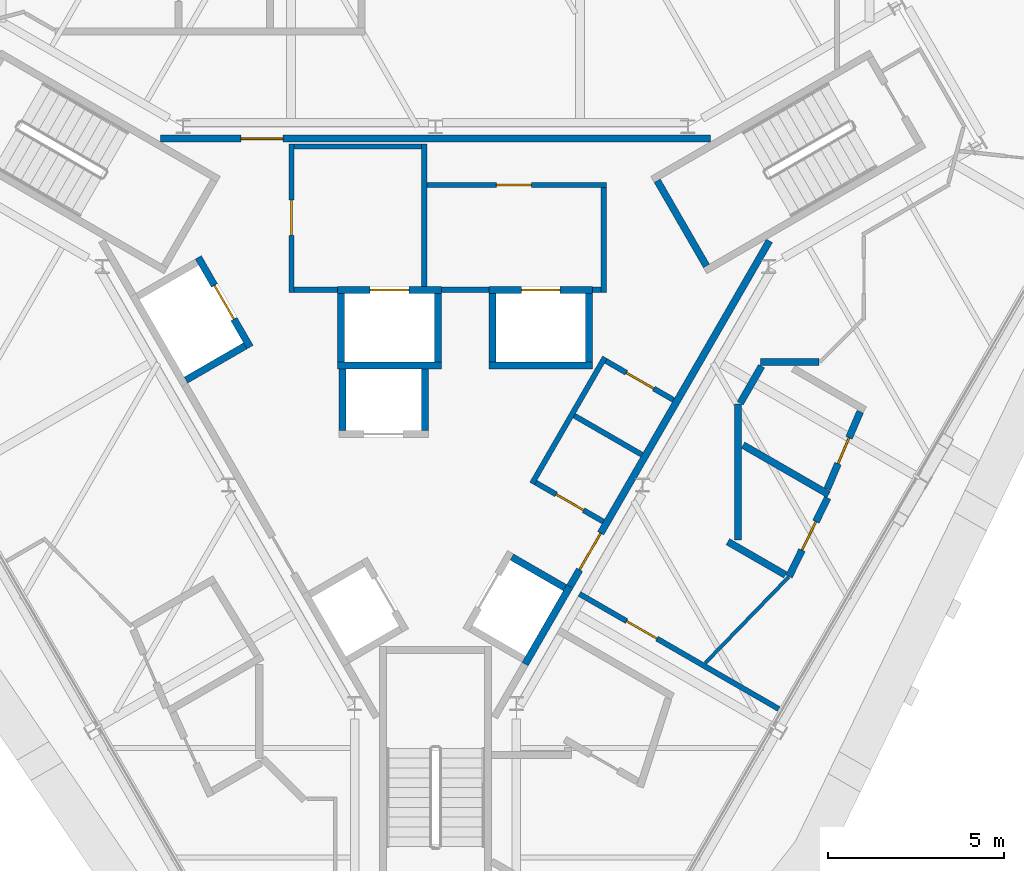
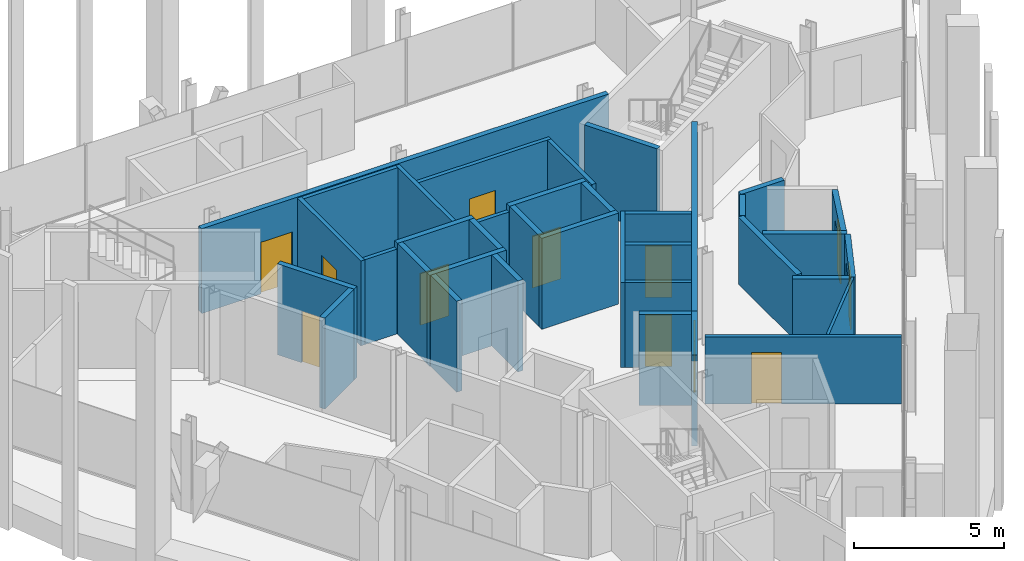
# One storey, part 9 of 12: 38 walls, 12 doors, 12 openings.
"""IFC4 building model written with IfcOpenShell, lengths in metres."""

import ifcopenshell
import ifcopenshell.guid

model = None  # the IFC model being written
_history = None  # IfcOwnerHistory: only IFC2X3 demands one
_inside = {}  # id of a spatial element -> (the spatial element, [elements in it])
_under = {}  # id of a project, library or spatial element -> (it, [spatial elements below it])
_declared = {}  # id of a project -> (the project, [libraries it declares])
_typed = {}  # id of a type object -> (the type object, [elements of that type])
_made_of = {}  # id of a material, layer set ... -> (it, [elements and type objects made of it])


def new_model(schema):
    """Start an empty IFC model of exactly this schema.

    Asked for "IFC4X3", IfcOpenShell would pick the latest addendum, in which some entities
    have other attributes; the version numbers below select the first issue.
    IFC2X3 requires an IfcOwnerHistory on every rooted entity: one is made here for all.
    """
    global model, _history
    if schema == "IFC4X3":
        model = ifcopenshell.file(schema_version=(4, 3, 0, 0))
    else:
        model = ifcopenshell.file(schema=schema)
    _inside.clear()
    _under.clear()
    _declared.clear()
    _typed.clear()
    _made_of.clear()
    _history = None
    if model.schema == "IFC2X3":
        org = make("IfcOrganization", Name="unknown")
        user = make(
            "IfcPersonAndOrganization",
            ThePerson=make("IfcPerson", FamilyName="unknown"),
            TheOrganization=org,
        )
        app = make(
            "IfcApplication",
            ApplicationDeveloper=org,
            Version="unknown",
            ApplicationFullName="unknown",
            ApplicationIdentifier="unknown",
        )
        _history = make(
            "IfcOwnerHistory",
            OwningUser=user,
            OwningApplication=app,
            ChangeAction="ADDED",
            CreationDate=0,
        )
    return model


def make(cls, **values):
    """One entity of the class cls with the attributes given. An attribute that is None is left unset."""
    return model.create_entity(
        cls, **{name: value for name, value in values.items() if value is not None}
    )


def rooted(cls, **values):
    """An entity with a GlobalId (a new one), such as an element, a storey or a relation."""
    return make(cls, GlobalId=ifcopenshell.guid.new(), OwnerHistory=_history, **values)


def si_unit(unit_type, name, prefix=None):
    """IfcSIUnit, for example si_unit("LENGTHUNIT", "METRE", prefix="MILLI")."""
    return make("IfcSIUnit", UnitType=unit_type, Prefix=prefix, Name=name)


def assignment(units):
    """IfcUnitAssignment: the units of a project."""
    return None if units is None else make("IfcUnitAssignment", Units=units)


def point(xyz):
    """IfcCartesianPoint."""
    return None if xyz is None else make("IfcCartesianPoint", Coordinates=xyz)


def direction(xyz):
    """IfcDirection."""
    return None if xyz is None else make("IfcDirection", DirectionRatios=xyz)


def frame(location, z_axis=None, x_axis=None):
    """IfcAxis2Placement3D, a coordinate frame: its origin and axes. An axis left out is left unset."""
    return make(
        "IfcAxis2Placement3D",
        Location=point(location),
        Axis=direction(z_axis),
        RefDirection=direction(x_axis),
    )


def frame_2d(location, x_axis=None):
    """IfcAxis2Placement2D, a coordinate frame in the plane: its origin and x axis."""
    return make(
        "IfcAxis2Placement2D", Location=point(location), RefDirection=direction(x_axis)
    )


def origin():
    """The frame at (0, 0, 0) with its axes left unset."""
    return frame((0.0, 0.0, 0.0))


def place(relative_to, where):
    """IfcLocalPlacement: puts the frame where relative to a parent placement (None: the world)."""
    return make(
        "IfcLocalPlacement", PlacementRelTo=relative_to, RelativePlacement=where
    )


def context(
    kind, dimensions, precision=None, world=None, true_north=None, identifier=None
):
    """IfcGeometricRepresentationContext, for example the 3D "Model" context."""
    return make(
        "IfcGeometricRepresentationContext",
        ContextIdentifier=identifier,
        ContextType=kind,
        CoordinateSpaceDimension=dimensions,
        Precision=precision,
        WorldCoordinateSystem=world,
        TrueNorth=true_north,
    )


def subcontext(parent, identifier, kind, view, scale=None):
    """IfcGeometricRepresentationSubContext, for example "Body" below "Model"."""
    return make(
        "IfcGeometricRepresentationSubContext",
        ContextIdentifier=identifier,
        ContextType=kind,
        ParentContext=parent,
        TargetScale=scale,
        TargetView=view,
    )


def project(units=None, contexts=None):
    """IfcProject with its units and contexts."""
    return rooted(
        "IfcProject",
        Name="project",
        RepresentationContexts=contexts,
        UnitsInContext=assignment(units),
    )


def spatial(cls, under=None, at=None, **own):
    """A site, building, storey or space (cls), placed at a placement, below another one or the project."""
    s = rooted(cls, ObjectPlacement=at, **own)
    if under is not None:
        _under.setdefault(under.id(), (under, []))[1].append(s)
    return s


def profile(cls, at=None, kind="AREA", **sizes):
    """A parametric profile (cls). Its sizes go by their IFC names, for example OverallWidth=200.0."""
    return make(cls, ProfileType=kind, Position=at, **sizes)


def rectangle(**sizes):
    """IfcRectangleProfileDef."""
    return profile("IfcRectangleProfileDef", **sizes)


def extrude(swept, where, along, depth):
    """IfcExtrudedAreaSolid: the profile swept, set in the frame where, extruded along a direction by depth."""
    return make(
        "IfcExtrudedAreaSolid",
        SweptArea=swept,
        Position=where,
        ExtrudedDirection=direction(along),
        Depth=depth,
    )


def shape(context_of_items, identifier, shape_type, items):
    """IfcShapeRepresentation: the items that make up one representation, for example the "Body"."""
    return make(
        "IfcShapeRepresentation",
        ContextOfItems=context_of_items,
        RepresentationIdentifier=identifier,
        RepresentationType=shape_type,
        Items=items,
    )


def material(Name=None, Category=None):
    """IfcMaterial."""
    return make("IfcMaterial", Name=Name, Category=Category)


def layer(
    of_material, thickness, ventilated=None, Name=None, Category=None, Priority=None
):
    """IfcMaterialLayer: one layer of a wall or slab, of a material (None: an air gap)."""
    return make(
        "IfcMaterialLayer",
        Material=of_material,
        LayerThickness=thickness,
        IsVentilated=ventilated,
        Name=Name,
        Category=Category,
        Priority=Priority,
    )


def layer_set(layers, Name=None):
    """IfcMaterialLayerSet."""
    return make("IfcMaterialLayerSet", MaterialLayers=layers, LayerSetName=Name)


def made_of(thing, what):
    """Note that an element or type object is made of a material, layer set ...; save() writes the relation."""
    if what is not None:
        _made_of.setdefault(what.id(), (what, []))[1].append(thing)
    return thing


def type_object(cls, material=None, **own):
    """A type object (cls), such as IfcWallType, which elements share."""
    return made_of(rooted(cls, **own), material)


def element(
    cls,
    number,
    at=None,
    inside=None,
    cuts=None,
    type_object=None,
    material=None,
    context=None,
    identifier="Body",
    shape_type=None,
    held_by="IfcProductDefinitionShape",
    body=None,
    shapes=None,
    **own,
):
    """One element of the class cls, such as IfcWall. Its Tag is "e" and its number.

    at: its placement. inside: the storey or other place that contains it. cuts: it is an
    opening in that element (IfcRelVoidsElement). A single representation is given by context,
    identifier, shape_type and body (its items); several are given by shapes. held_by: the class
    of the entity that holds the representations. save() writes the other relations.
    """
    e = rooted(cls, Tag="e%d" % number, ObjectPlacement=at, **own)
    if body is not None:
        shapes = [shape(context, identifier, shape_type, body)]
    if shapes is not None:
        e.Representation = make(held_by, Representations=shapes)
    if inside is not None:
        _inside.setdefault(inside.id(), (inside, []))[1].append(e)
    if cuts is not None:
        rooted(
            "IfcRelVoidsElement", RelatingBuildingElement=cuts, RelatedOpeningElement=e
        )
    if type_object is not None:
        _typed.setdefault(type_object.id(), (type_object, []))[1].append(e)
    return made_of(e, material)


def fill(opening, filler):
    """IfcRelFillsElement: the door or window that sits in an opening."""
    return rooted(
        "IfcRelFillsElement",
        RelatingOpeningElement=opening,
        RelatedBuildingElement=filler,
    )


def aggregate(whole, parts):
    """IfcRelAggregates: a whole, such as a stair, and the parts it consists of."""
    return rooted("IfcRelAggregates", RelatingObject=whole, RelatedObjects=parts)


def save(model, path):
    """Write the relations noted so far, then the file.

    IfcRelAggregates (storeys below a building ...), IfcRelContainedInSpatialStructure (elements
    in a storey), IfcRelDefinesByType, IfcRelAssociatesMaterial and IfcRelDeclares: one each for
    every whole, place, type object, material and project.
    """
    for whole, parts in _under.values():
        aggregate(whole, parts)
    for where, things in _inside.values():
        rooted(
            "IfcRelContainedInSpatialStructure",
            RelatedElements=things,
            RelatingStructure=where,
        )
    for kind, things in _typed.values():
        rooted("IfcRelDefinesByType", RelatedObjects=things, RelatingType=kind)
    for what, things in _made_of.values():
        rooted("IfcRelAssociatesMaterial", RelatedObjects=things, RelatingMaterial=what)
    for by, libraries in _declared.values():
        rooted("IfcRelDeclares", RelatingContext=by, RelatedDefinitions=libraries)
    model.write(path)


model = new_model("IFC4")

# Units and contexts
model_context = context("Model", 3, precision=1e-05, world=origin(), true_north=direction((0.0, 1.0)))
body_context = subcontext(model_context, "Body", "Model", "MODEL_VIEW")
ifc_project = project(units=[si_unit("LENGTHUNIT", "METRE"), si_unit("AREAUNIT", "SQUARE_METRE"), si_unit("VOLUMEUNIT", "CUBIC_METRE"), si_unit("PLANEANGLEUNIT", "RADIAN"), si_unit("MASSUNIT", "GRAM", prefix="KILO")], contexts=[model_context])

# Site, building, storey
site_placement = place(None, origin())
site = spatial("IfcSite", under=ifc_project, at=site_placement, CompositionType="ELEMENT")
building_placement = place(site_placement, origin())
building = spatial("IfcBuilding", under=site, at=building_placement, Name="Verrane Prism Tower", CompositionType="ELEMENT")
storey_placement = place(building_placement, frame((0.0, 0.0, 264.0)))
storey = spatial("IfcBuildingStorey", under=building, at=storey_placement, Name="L66", CompositionType="ELEMENT", Elevation=264.0)

# Wall, opening, door
ifc_material_1 = material(Name="Gypsum board partition", Category="other")
ifc_layer_1 = layer(ifc_material_1, 0.199951171875)
ifc_layer_set_1 = layer_set([ifc_layer_1], Name="CW-200 core boundary wall 2 h")
wall_type_1 = type_object("IfcWallType", Name="CW-200 core boundary wall 2 h", PredefinedType="PARTITIONING", material=ifc_layer_set_1)
wall_1_placement = place(storey_placement, frame((7.8291015625, 6.4599609375, 0.0), z_axis=(0.0, 0.0, 1.0), x_axis=(-1.0, 0.0, 0.0)))
wall_1 = element("IfcWall", 1, at=wall_1_placement, inside=storey, type_object=wall_type_1, Name="Core boundary wall CW3-002", PredefinedType="PARTITIONING", context=body_context, shape_type="SweptSolid", body=[
    extrude(rectangle(XDim=15.658203125, YDim=0.199951171875, at=frame_2d((7.8291015625, 0.0))), origin(), (0.0, 0.0, 1.0), 3.449951171875),
])
opening_1_placement = place(wall_1_placement, frame((12.16796875, 0.0, 0.0)))
opening_1 = element("IfcOpeningElement", 2, at=opening_1_placement, cuts=wall_1, Name="Opening D66509", PredefinedType="OPENING", context=body_context, shape_type="SweptSolid", body=[
    extrude(rectangle(XDim=1.199951171875, YDim=2.10009765625, at=frame_2d((0.60009765625, 1.050048828125))), frame((0.0, 0.10986328125, 0.0), z_axis=(0.0, -1.0, 0.0), x_axis=(1.0, 0.0, 0.0)), (0.0, 0.0, 1.0), 0.219970703125),
])
ifc_material_2 = material(Name="Timber veneered door leaf", Category="wood")
door_type_1 = type_object("IfcDoorType", Name="DR-1200x2100 FD60 single leaf lift lobby", OperationType="NOTDEFINED", PredefinedType="DOOR", material=ifc_material_2)
door_1_placement = place(opening_1_placement, origin())
door_1 = element("IfcDoor", 3, at=door_1_placement, inside=storey, type_object=door_type_1, Name="Lift lobby door D66509", OperationType="SINGLE_SWING_RIGHT", OverallHeight=2.10009765625, OverallWidth=1.199951171875, PredefinedType="DOOR", context=body_context, shape_type="SweptSolid", body=[
    extrude(rectangle(XDim=1.199951171875, YDim=2.10009765625, at=frame_2d((0.60009765625, 1.050048828125))), frame((0.0, 0.02490234375, 0.0), z_axis=(0.0, -1.0, 0.0), x_axis=(1.0, 0.0, 0.0)), (0.0, 0.0, 1.0), 0.050048828125),
])
fill(opening_1, door_1)

wall_2_placement = place(storey_placement, frame((3.827880859375, -6.2900390625, 0.0), z_axis=(0.0, 0.0, 1.0), x_axis=(0.499979739078, 0.866037101117, 0.0)))
wall_2 = element("IfcWall", 4, at=wall_2_placement, inside=storey, type_object=wall_type_1, Name="Core boundary wall CW3-006", PredefinedType="PARTITIONING", context=body_context, shape_type="SweptSolid", body=[
    extrude(rectangle(XDim=11.36279296875, YDim=0.199951171875, at=frame_2d((5.681396484375, 0.0))), origin(), (0.0, 0.0, 1.0), 3.449951171875),
])
opening_2_placement = place(wall_2_placement, frame((0.550048828125, 0.0, 0.0)))
opening_2 = element("IfcOpeningElement", 5, at=opening_2_placement, cuts=wall_2, Name="Opening D66514", PredefinedType="OPENING", context=body_context, shape_type="SweptSolid", body=[
    extrude(rectangle(XDim=1.199951171875, YDim=2.10009765625, at=frame_2d((0.60009765625, 1.050048828125))), frame((0.0, 0.10986328125, 0.0), z_axis=(0.0, -1.0, 0.0), x_axis=(1.0, 0.0, 0.0)), (0.0, 0.0, 1.0), 0.219970703125),
])
door_2_placement = place(opening_2_placement, origin())
door_2 = element("IfcDoor", 6, at=door_2_placement, inside=storey, type_object=door_type_1, Name="Lift lobby door D66514", OperationType="SINGLE_SWING_RIGHT", OverallHeight=2.10009765625, OverallWidth=1.199951171875, PredefinedType="DOOR", context=body_context, shape_type="SweptSolid", body=[
    extrude(rectangle(XDim=1.199951171875, YDim=2.10009765625, at=frame_2d((0.60009765625, 1.050048828125))), frame((0.0, 0.02490234375, 0.0), z_axis=(0.0, -1.0, 0.0), x_axis=(1.0, 0.0, 0.0)), (0.0, 0.0, 1.0), 0.050048828125),
])
fill(opening_2, door_2)

# Walls
ifc_material_3 = material(Name="Concrete C40/50", Category="concrete")
ifc_layer_2 = layer(ifc_material_3, 0.199951171875)
ifc_layer_set_2 = layer_set([ifc_layer_2], Name="CW-200 stair core wall concrete C40/50 3 h")
wall_type_2 = type_object("IfcWallType", Name="CW-200 stair core wall concrete C40/50 3 h", PredefinedType="PARTITIONING", material=ifc_layer_set_2)
wall_3_placement = place(storey_placement, frame((7.71484375, 2.837646484375, 0.0), z_axis=(0.0, 0.0, 1.0), x_axis=(-0.500049511043, 0.865996816683, 0.0)))
element("IfcWall", 7, at=wall_3_placement, inside=storey, type_object=wall_type_2, Name="Stair 1 enclosure wall", PredefinedType="PARTITIONING", context=body_context, shape_type="SweptSolid", body=[
    extrude(rectangle(XDim=2.800048828125, YDim=0.199951171875, at=frame_2d((1.39990234375, 0.0))), origin(), (0.0, 0.0, 1.0), 3.449951171875),
])
ifc_material_4 = material(Name="Gypsum board shaft wall assembly", Category="other")
ifc_layer_3 = layer(ifc_material_4, 0.199951171875)
ifc_layer_set_3 = layer_set([ifc_layer_3], Name="HW-200 lift shaft wall 2 h")
wall_type_3 = type_object("IfcWallType", Name="HW-200 lift shaft wall 2 h", PredefinedType="PARTITIONING", material=ifc_layer_set_3)
wall_4_placement = place(storey_placement, frame((-2.784912109375, 0.0, 0.0), z_axis=(0.0, 0.0, 1.0), x_axis=(1.0, 0.0, 0.0)))
element("IfcWall", 8, at=wall_4_placement, inside=storey, type_object=wall_type_3, Name="Lift shaft wall", PredefinedType="PARTITIONING", context=body_context, shape_type="SweptSolid", body=[
    extrude(rectangle(XDim=2.949951171875, YDim=0.199951171875, at=frame_2d((1.47509765625, 0.0))), origin(), (0.0, 0.0, 1.0), 3.699951171875),
])
wall_5_placement = place(storey_placement, frame((1.52490234375, 0.0, 0.0), z_axis=(0.0, 0.0, 1.0), x_axis=(1.0, 0.0, 0.0)))
element("IfcWall", 9, at=wall_5_placement, inside=storey, type_object=wall_type_3, Name="Lift shaft wall", PredefinedType="PARTITIONING", context=body_context, shape_type="SweptSolid", body=[
    extrude(rectangle(XDim=2.9501953125, YDim=0.199951171875, at=frame_2d((1.47509765625, 0.0))), origin(), (0.0, 0.0, 1.0), 3.699951171875),
])

# Wall, opening, door
wall_6_placement = place(storey_placement, frame((-2.784912109375, 2.14990234375, 0.0), z_axis=(0.0, 0.0, 1.0), x_axis=(1.0, 0.0, 0.0)))
wall_6 = element("IfcWall", 10, at=wall_6_placement, inside=storey, type_object=wall_type_3, Name="Lift shaft wall", PredefinedType="PARTITIONING", context=body_context, shape_type="SweptSolid", body=[
    extrude(rectangle(XDim=2.949951171875, YDim=0.199951171875, at=frame_2d((1.47509765625, 0.0))), origin(), (0.0, 0.0, 1.0), 3.699951171875),
])
opening_3_placement = place(wall_6_placement, frame((0.925048828125, 0.0, 0.0)))
opening_3 = element("IfcOpeningElement", 11, at=opening_3_placement, cuts=wall_6, Name="Opening D66506", PredefinedType="OPENING", context=body_context, shape_type="SweptSolid", body=[
    extrude(rectangle(XDim=1.10009765625, YDim=2.10009765625, at=frame_2d((0.550048828125, 1.050048828125))), frame((0.0, 0.10986328125, 0.0), z_axis=(0.0, -1.0, 0.0), x_axis=(1.0, 0.0, 0.0)), (0.0, 0.0, 1.0), 0.219970703125),
])
ifc_material_5 = material(Name="Stainless steel sliding landing door", Category="steel")
door_type_2 = type_object("IfcDoorType", Name="LD-1100x2100 lift landing door FD90 sliding", OperationType="NOTDEFINED", PredefinedType="DOOR", material=ifc_material_5)
door_3_placement = place(opening_3_placement, origin())
door_3 = element("IfcDoor", 12, at=door_3_placement, inside=storey, type_object=door_type_2, Name="Fire service lift 1 landing door", OperationType="SLIDING_TO_LEFT", OverallHeight=2.10009765625, OverallWidth=1.10009765625, PredefinedType="DOOR", context=body_context, shape_type="SweptSolid", body=[
    extrude(rectangle(XDim=1.10009765625, YDim=2.10009765625, at=frame_2d((0.550048828125, 1.050048828125))), frame((0.0, 0.02490234375, 0.0), z_axis=(0.0, -1.0, 0.0), x_axis=(1.0, 0.0, 0.0)), (0.0, 0.0, 1.0), 0.050048828125),
])
fill(opening_3, door_3)

wall_7_placement = place(storey_placement, frame((1.52490234375, 2.14990234375, 0.0), z_axis=(0.0, 0.0, 1.0), x_axis=(1.0, 0.0, 0.0)))
wall_7 = element("IfcWall", 13, at=wall_7_placement, inside=storey, type_object=wall_type_3, Name="Lift shaft wall", PredefinedType="PARTITIONING", context=body_context, shape_type="SweptSolid", body=[
    extrude(rectangle(XDim=2.9501953125, YDim=0.199951171875, at=frame_2d((1.47509765625, 0.0))), origin(), (0.0, 0.0, 1.0), 3.699951171875),
])
opening_4_placement = place(wall_7_placement, frame((0.925048828125, 0.0, 0.0)))
opening_4 = element("IfcOpeningElement", 14, at=opening_4_placement, cuts=wall_7, Name="Opening D66507", PredefinedType="OPENING", context=body_context, shape_type="SweptSolid", body=[
    extrude(rectangle(XDim=1.10009765625, YDim=2.10009765625, at=frame_2d((0.550048828125, 1.050048828125))), frame((0.0, 0.10986328125, 0.0), z_axis=(0.0, -1.0, 0.0), x_axis=(1.0, 0.0, 0.0)), (0.0, 0.0, 1.0), 0.219970703125),
])
door_4_placement = place(opening_4_placement, origin())
door_4 = element("IfcDoor", 15, at=door_4_placement, inside=storey, type_object=door_type_2, Name="Fire service lift 2 landing door", OperationType="SLIDING_TO_RIGHT", OverallHeight=2.10009765625, OverallWidth=1.10009765625, PredefinedType="DOOR", context=body_context, shape_type="SweptSolid", body=[
    extrude(rectangle(XDim=1.10009765625, YDim=2.10009765625, at=frame_2d((0.550048828125, 1.050048828125))), frame((0.0, 0.02490234375, 0.0), z_axis=(0.0, -1.0, 0.0), x_axis=(1.0, 0.0, 0.0)), (0.0, 0.0, 1.0), 0.050048828125),
])
fill(opening_4, door_4)

# Walls
wall_8_placement = place(storey_placement, frame((-7.10546875, -0.4130859375, 0.0), z_axis=(0.0, 0.0, 1.0), x_axis=(0.866000020948, 0.500043961785, 0.0)))
element("IfcWall", 16, at=wall_8_placement, inside=storey, type_object=wall_type_3, Name="Lift shaft wall", PredefinedType="PARTITIONING", context=body_context, shape_type="SweptSolid", body=[
    extrude(rectangle(XDim=1.949951171875, YDim=0.199951171875, at=frame_2d((0.97509765625, 0.0))), origin(), (0.0, 0.0, 1.0), 3.699951171875),
])
wall_9_placement = place(storey_placement, frame((2.552001953125, -8.499755859375, 0.0), z_axis=(0.0, 0.0, 1.0), x_axis=(0.499990435942, 0.866030925526, 0.0)))
element("IfcWall", 17, at=wall_9_placement, inside=storey, type_object=wall_type_3, Name="Lift shaft wall", PredefinedType="PARTITIONING", context=body_context, shape_type="SweptSolid", body=[
    extrude(rectangle(XDim=2.5498046875, YDim=0.199951171875, at=frame_2d((1.27490234375, 0.0))), origin(), (0.0, 0.0, 1.0), 3.699951171875),
])
for number, where, z_axis, x_axis, name in (
    (18, (4.375, 0.10009765625, 0.0), (0.0, 0.0, 1.0), (0.0, 1.0, 0.0), "Lift shaft wall"),
    (19, (1.625, 0.10009765625, 0.0), (0.0, 0.0, 1.0), (0.0, 1.0, 0.0), "Lift shaft wall"),
    (20, (0.06494140625, 0.10009765625, 0.0), (0.0, 0.0, 1.0), (0.0, 1.0, 0.0), "Lift shaft wall"),
):
    element("IfcWall", number, at=place(storey_placement, frame(where, z_axis=z_axis, x_axis=x_axis)), inside=storey, type_object=wall_type_3, Name=name, PredefinedType="PARTITIONING", context=body_context, shape_type="SweptSolid", body=[
        extrude(rectangle(XDim=1.949951171875, YDim=0.199951171875, at=frame_2d((0.97509765625, 0.0))), origin(), (0.0, 0.0, 1.0), 3.699951171875),
    ])
for number, where, z_axis, x_axis, name in (
    (21, (-0.304931640625, -1.85009765625, 0.0), (0.0, 0.0, 1.0), (0.0, 1.0, 0.0), "Lift shaft wall"),
    (22, (-2.655029296875, -1.85009765625, 0.0), (0.0, 0.0, 1.0), (0.0, 1.0, 0.0), "Lift shaft wall"),
):
    element("IfcWall", number, at=place(storey_placement, frame(where, z_axis=z_axis, x_axis=x_axis)), inside=storey, type_object=wall_type_3, Name=name, PredefinedType="PARTITIONING", context=body_context, shape_type="SweptSolid", body=[
        extrude(rectangle(XDim=1.75, YDim=0.199951171875, at=frame_2d((0.875, 0.0))), origin(), (0.0, 0.0, 1.0), 3.699951171875),
    ])
wall_10_placement = place(storey_placement, frame((-2.68505859375, 0.10009765625, 0.0), z_axis=(0.0, 0.0, 1.0), x_axis=(0.0, 1.0, 0.0)))
element("IfcWall", 23, at=wall_10_placement, inside=storey, type_object=wall_type_3, Name="Lift shaft wall", PredefinedType="PARTITIONING", context=body_context, shape_type="SweptSolid", body=[
    extrude(rectangle(XDim=1.949951171875, YDim=0.199951171875, at=frame_2d((0.97509765625, 0.0))), origin(), (0.0, 0.0, 1.0), 3.699951171875),
])

# Wall, opening, door
wall_11_placement = place(storey_placement, frame((-5.280029296875, 0.525390625, 0.0), z_axis=(0.0, 0.0, 1.0), x_axis=(-0.500037662692, 0.866003658127, 0.0)))
wall_11 = element("IfcWall", 24, at=wall_11_placement, inside=storey, type_object=wall_type_3, Name="Lift shaft wall", PredefinedType="PARTITIONING", context=body_context, shape_type="SweptSolid", body=[
    extrude(rectangle(XDim=2.949951171875, YDim=0.199951171875, at=frame_2d((1.47509765625, 0.0))), origin(), (0.0, 0.0, 1.0), 3.699951171875),
])
opening_5_placement = place(wall_11_placement, frame((0.925048828125, 0.0, 0.0)))
opening_5 = element("IfcOpeningElement", 25, at=opening_5_placement, cuts=wall_11, Name="Opening D66508", PredefinedType="OPENING", context=body_context, shape_type="SweptSolid", body=[
    extrude(rectangle(XDim=1.10009765625, YDim=2.10009765625, at=frame_2d((0.550048828125, 1.050048828125))), frame((0.0, 0.10986328125, 0.0), z_axis=(0.0, -1.0, 0.0), x_axis=(1.0, 0.0, 0.0)), (0.0, 0.0, 1.0), 0.219970703125),
])
door_5_placement = place(opening_5_placement, origin())
door_5 = element("IfcDoor", 26, at=door_5_placement, inside=storey, type_object=door_type_2, Name="Service lift 1 landing door", OperationType="SLIDING_TO_LEFT", OverallHeight=2.10009765625, OverallWidth=1.10009765625, PredefinedType="DOOR", context=body_context, shape_type="SweptSolid", body=[
    extrude(rectangle(XDim=1.10009765625, YDim=2.10009765625, at=frame_2d((0.550048828125, 1.050048828125))), frame((0.0, 0.02490234375, 0.0), z_axis=(0.0, -1.0, 0.0), x_axis=(1.0, 0.0, 0.0)), (0.0, 0.0, 1.0), 0.050048828125),
])
fill(opening_5, door_5)

# Wall
wall_12_placement = place(storey_placement, frame((3.6904296875, -6.327880859375, 0.0), z_axis=(0.0, 0.0, 1.0), x_axis=(-0.866036909293, 0.499980071345, 0.0)))
element("IfcWall", 27, at=wall_12_placement, inside=storey, type_object=wall_type_3, Name="Lift shaft wall", PredefinedType="PARTITIONING", context=body_context, shape_type="SweptSolid", body=[
    extrude(rectangle(XDim=1.75, YDim=0.199951171875, at=frame_2d((0.875, 0.0))), origin(), (0.0, 0.0, 1.0), 3.699951171875),
])

# Wall, opening, door
ifc_material_6 = material(Name="Gypsum board partition", Category="other")
ifc_layer_4 = layer(ifc_material_6, 0.14990234375)
ifc_layer_set_4 = layer_set([ifc_layer_4], Name="LF-150 firefighting lobby wall 1 h")
wall_type_4 = type_object("IfcWallType", Name="LF-150 firefighting lobby wall 1 h", PredefinedType="PARTITIONING", material=ifc_layer_set_4)
wall_13_placement = place(storey_placement, frame((-4.10009765625, 2.0849609375, 0.0), z_axis=(0.0, 0.0, 1.0), x_axis=(0.0, 1.0, 0.0)))
wall_13 = element("IfcWall", 28, at=wall_13_placement, inside=storey, type_object=wall_type_4, Name="Firefighting lobby wall LF1-001", PredefinedType="PARTITIONING", context=body_context, shape_type="SweptSolid", body=[
    extrude(rectangle(XDim=4.22998046875, YDim=0.14990234375, at=frame_2d((2.114990234375, 0.0))), origin(), (0.0, 0.0, 1.0), 3.449951171875),
])
opening_6_placement = place(wall_13_placement, frame((1.625, 0.0, 0.0)))
opening_6 = element("IfcOpeningElement", 29, at=opening_6_placement, cuts=wall_13, Name="Opening D66511", PredefinedType="OPENING", context=body_context, shape_type="SweptSolid", body=[
    extrude(rectangle(XDim=1.0, YDim=2.10009765625, at=frame_2d((0.5, 1.050048828125))), frame((0.0, 0.0849609375, 0.0), z_axis=(0.0, -1.0, 0.0), x_axis=(1.0, 0.0, 0.0)), (0.0, 0.0, 1.0), 0.169921875),
])
ifc_material_7 = material(Name="Timber veneered door leaf", Category="wood")
door_type_3 = type_object("IfcDoorType", Name="DR-1000x2100 FD60 single leaf firefighting lobby", OperationType="NOTDEFINED", PredefinedType="DOOR", material=ifc_material_7)
door_6_placement = place(opening_6_placement, origin())
door_6 = element("IfcDoor", 30, at=door_6_placement, inside=storey, type_object=door_type_3, Name="Firefighting lobby door D66511", OperationType="SINGLE_SWING_RIGHT", OverallHeight=2.10009765625, OverallWidth=1.0, PredefinedType="DOOR", context=body_context, shape_type="SweptSolid", body=[
    extrude(rectangle(XDim=1.0, YDim=2.10009765625, at=frame_2d((0.5, 1.050048828125))), frame((0.0, 0.02490234375, 0.0), z_axis=(0.0, -1.0, 0.0), x_axis=(1.0, 0.0, 0.0)), (0.0, 0.0, 1.0), 0.050048828125),
])
fill(opening_6, door_6)

# Walls
wall_14_placement = place(storey_placement, frame((-4.02490234375, 2.159912109375, 0.0), z_axis=(0.0, 0.0, 1.0), x_axis=(1.0, 0.0, 0.0)))
element("IfcWall", 31, at=wall_14_placement, inside=storey, type_object=wall_type_4, Name="Firefighting lobby wall LF1-002", PredefinedType="PARTITIONING", context=body_context, shape_type="SweptSolid", body=[
    extrude(rectangle(XDim=1.23779296875, YDim=0.14990234375, at=frame_2d((0.618896484375, 0.0))), origin(), (0.0, 0.0, 1.0), 3.449951171875),
])
wall_15_placement = place(storey_placement, frame((-4.02490234375, 6.239990234375, 0.0), z_axis=(0.0, 0.0, 1.0), x_axis=(1.0, 0.0, 0.0)))
element("IfcWall", 32, at=wall_15_placement, inside=storey, type_object=wall_type_4, Name="Firefighting lobby wall LF1-003", PredefinedType="PARTITIONING", context=body_context, shape_type="SweptSolid", body=[
    extrude(rectangle(XDim=3.6298828125, YDim=0.14990234375, at=frame_2d((1.81494140625, 0.0))), origin(), (0.0, 0.0, 1.0), 3.449951171875),
])
wall_16_placement = place(storey_placement, frame((-0.320068359375, 2.251953125, 0.0), z_axis=(0.0, 0.0, 1.0), x_axis=(0.0, 1.0, 0.0)))
element("IfcWall", 33, at=wall_16_placement, inside=storey, type_object=wall_type_4, Name="Firefighting lobby wall LF1-004", PredefinedType="PARTITIONING", context=body_context, shape_type="SweptSolid", body=[
    extrude(rectangle(XDim=4.06298828125, YDim=0.14990234375, at=frame_2d((2.031494140625, 0.0))), origin(), (0.0, 0.0, 1.0), 3.449951171875),
])

# Wall, opening, door
wall_17_placement = place(storey_placement, frame((-0.2451171875, 5.139892578125, 0.0), z_axis=(0.0, 0.0, 1.0), x_axis=(1.0, 0.0, 0.0)))
wall_17 = element("IfcWall", 34, at=wall_17_placement, inside=storey, type_object=wall_type_4, Name="Firefighting lobby wall LF1-005", PredefinedType="PARTITIONING", context=body_context, shape_type="SweptSolid", body=[
    extrude(rectangle(XDim=5.110107421875, YDim=0.14990234375, at=frame_2d((2.55517578125, 0.0))), origin(), (0.0, 0.0, 1.0), 3.449951171875),
])
opening_7_placement = place(wall_17_placement, frame((1.97509765625, 0.0, 0.0)))
opening_7 = element("IfcOpeningElement", 35, at=opening_7_placement, cuts=wall_17, Name="Opening D66512", PredefinedType="OPENING", context=body_context, shape_type="SweptSolid", body=[
    extrude(rectangle(XDim=1.0, YDim=2.10009765625, at=frame_2d((0.5, 1.050048828125))), frame((0.0, 0.0849609375, 0.0), z_axis=(0.0, -1.0, 0.0), x_axis=(1.0, 0.0, 0.0)), (0.0, 0.0, 1.0), 0.169921875),
])
door_7_placement = place(opening_7_placement, origin())
door_7 = element("IfcDoor", 36, at=door_7_placement, inside=storey, type_object=door_type_3, Name="Firefighting lobby door D66512", OperationType="SINGLE_SWING_LEFT", OverallHeight=2.10009765625, OverallWidth=1.0, PredefinedType="DOOR", context=body_context, shape_type="SweptSolid", body=[
    extrude(rectangle(XDim=1.0, YDim=2.10009765625, at=frame_2d((0.5, 1.050048828125))), frame((0.0, 0.02490234375, 0.0), z_axis=(0.0, -1.0, 0.0), x_axis=(1.0, 0.0, 0.0)), (0.0, 0.0, 1.0), 0.050048828125),
])
fill(opening_7, door_7)

# Walls
wall_18_placement = place(storey_placement, frame((0.1669921875, 2.159912109375, 0.0), z_axis=(0.0, 0.0, 1.0), x_axis=(1.0, 0.0, 0.0)))
element("IfcWall", 37, at=wall_18_placement, inside=storey, type_object=wall_type_4, Name="Firefighting lobby wall LF1-006", PredefinedType="PARTITIONING", context=body_context, shape_type="SweptSolid", body=[
    extrude(rectangle(XDim=1.35595703125, YDim=0.14990234375, at=frame_2d((0.677978515625, 0.0))), origin(), (0.0, 0.0, 1.0), 3.449951171875),
])
wall_19_placement = place(storey_placement, frame((4.47705078125, 2.159912109375, 0.0), z_axis=(0.0, 0.0, 1.0), x_axis=(1.0, 0.0, 0.0)))
element("IfcWall", 38, at=wall_19_placement, inside=storey, type_object=wall_type_4, Name="Firefighting lobby wall LF1-007", PredefinedType="PARTITIONING", context=body_context, shape_type="SweptSolid", body=[
    extrude(rectangle(XDim=0.238037109375, YDim=0.14990234375, at=frame_2d((0.119140625, 0.0))), origin(), (0.0, 0.0, 1.0), 3.449951171875),
])
wall_20_placement = place(storey_placement, frame((4.7900390625, 2.0849609375, 0.0), z_axis=(0.0, 0.0, 1.0), x_axis=(0.0, 1.0, 0.0)))
element("IfcWall", 39, at=wall_20_placement, inside=storey, type_object=wall_type_4, Name="Firefighting lobby wall LF1-008", PredefinedType="PARTITIONING", context=body_context, shape_type="SweptSolid", body=[
    extrude(rectangle(XDim=2.97998046875, YDim=0.14990234375, at=frame_2d((1.489990234375, 0.0))), origin(), (0.0, 0.0, 1.0), 3.449951171875),
])
ifc_material_8 = material(Name="Gypsum board partition", Category="other")
ifc_layer_5 = layer(ifc_material_8, 0.10009765625)
ifc_layer_set_5 = layer_set([ifc_layer_5], Name="PW-100 room partition")
wall_type_5 = type_object("IfcWallType", Name="PW-100 room partition", PredefinedType="PARTITIONING", material=ifc_layer_set_5)
wall_21_placement = place(storey_placement, frame((7.681640625, -8.470458984375, 0.0), z_axis=(0.0, 0.0, 1.0), x_axis=(0.696344433623, 0.717707760696, 0.0)))
element("IfcWall", 40, at=wall_21_placement, inside=storey, type_object=wall_type_5, Name="Room partition 044", PredefinedType="PARTITIONING", context=body_context, shape_type="SweptSolid", body=[
    extrude(rectangle(XDim=3.4169921875, YDim=0.10009765625, at=frame_2d((1.70849609375, 0.0))), origin(), (0.0, 0.0, 1.0), 2.722900390625),
])

# Wall, opening, door
ifc_material_9 = material(Name="Gypsum board partition", Category="other")
ifc_layer_6 = layer(ifc_material_9, 0.14990234375)
ifc_layer_set_6 = layer_set([ifc_layer_6], Name="PW-150 demising wall 1 h")
wall_type_6 = type_object("IfcWallType", Name="PW-150 demising wall 1 h", PredefinedType="PARTITIONING", material=ifc_layer_set_6)
wall_22_placement = place(storey_placement, frame((9.771728515625, -9.77685546875, 0.0), z_axis=(0.0, 0.0, 1.0), x_axis=(-0.866083818164, 0.499898809675, 0.0)))
wall_22 = element("IfcWall", 41, at=wall_22_placement, inside=storey, type_object=wall_type_6, Name="Demising wall 042", PredefinedType="PARTITIONING", context=body_context, shape_type="SweptSolid", body=[
    extrude(rectangle(XDim=6.551025390625, YDim=0.14990234375, at=frame_2d((3.275390625, 0.0))), origin(), (0.0, 0.0, 1.0), 2.722900390625),
])
opening_8_placement = place(wall_22_placement, frame((4.0009765625, 0.0, 0.0)))
opening_8 = element("IfcOpeningElement", 42, at=opening_8_placement, cuts=wall_22, Name="Opening D66002", PredefinedType="OPENING", context=body_context, shape_type="SweptSolid", body=[
    extrude(rectangle(XDim=1.0, YDim=2.10009765625, at=frame_2d((0.5, 1.050048828125))), frame((0.0, 0.0849609375, 0.0), z_axis=(0.0, -1.0, 0.0), x_axis=(1.0, 0.0, 0.0)), (0.0, 0.0, 1.0), 0.169921875),
])
ifc_material_10 = material(Name="Timber veneered door leaf", Category="wood")
door_type_4 = type_object("IfcDoorType", Name="DR-1000x2100 FD20 single leaf inner", OperationType="NOTDEFINED", PredefinedType="DOOR", material=ifc_material_10)
door_8_placement = place(opening_8_placement, origin())
door_8 = element("IfcDoor", 43, at=door_8_placement, inside=storey, type_object=door_type_4, Name="Entrance Foyer door", OperationType="SINGLE_SWING_LEFT", OverallHeight=2.10009765625, OverallWidth=1.0, PredefinedType="DOOR", context=body_context, shape_type="SweptSolid", body=[
    extrude(rectangle(XDim=1.0, YDim=2.10009765625, at=frame_2d((0.5, 1.050048828125))), frame((0.0, 0.02490234375, 0.0), z_axis=(0.0, -1.0, 0.0), x_axis=(1.0, 0.0, 0.0)), (0.0, 0.0, 1.0), 0.050048828125),
])
fill(opening_8, door_8)

# Walls
ifc_material_11 = material(Name="Gypsum board partition", Category="other")
ifc_layer_7 = layer(ifc_material_11, 0.199951171875)
ifc_layer_set_7 = layer_set([ifc_layer_7], Name="PW-200 plumbing wall")
wall_type_7 = type_object("IfcWallType", Name="PW-200 plumbing wall", PredefinedType="PARTITIONING", material=ifc_layer_set_7)
wall_23_placement = place(storey_placement, frame((8.325439453125, -5.01611328125, 0.0), z_axis=(0.0, 0.0, 1.0), x_axis=(0.866093293964, -0.499882392319, 0.0)))
element("IfcWall", 44, at=wall_23_placement, inside=storey, type_object=wall_type_7, Name="Plumbing wall 045", PredefinedType="PARTITIONING", context=body_context, shape_type="SweptSolid", body=[
    extrude(rectangle(XDim=1.89404296875, YDim=0.199951171875, at=frame_2d((0.947021484375, 0.0))), origin(), (0.0, 0.0, 1.0), 2.722900390625),
])
wall_24_placement = place(storey_placement, frame((8.60888671875, -4.968994140625, 0.0), z_axis=(0.0, 0.0, 1.0), x_axis=(0.0, 1.0, 0.0)))
element("IfcWall", 45, at=wall_24_placement, inside=storey, type_object=wall_type_7, Name="Plumbing wall 046", PredefinedType="PARTITIONING", context=body_context, shape_type="SweptSolid", body=[
    extrude(rectangle(XDim=3.881103515625, YDim=0.199951171875, at=frame_2d((1.9404296875, 0.0))), origin(), (0.0, 0.0, 1.0), 2.722900390625),
])
wall_25_placement = place(storey_placement, frame((8.759033203125, -2.2646484375, 0.0), z_axis=(0.0, 0.0, 1.0), x_axis=(0.866098885879, -0.499872703674, 0.0)))
element("IfcWall", 46, at=wall_25_placement, inside=storey, type_object=wall_type_7, Name="Plumbing wall 047", PredefinedType="PARTITIONING", context=body_context, shape_type="SweptSolid", body=[
    extrude(rectangle(XDim=2.813232421875, YDim=0.199951171875, at=frame_2d((1.40673828125, 0.0))), origin(), (0.0, 0.0, 1.0), 2.722900390625),
])
wall_26_placement = place(storey_placement, frame((8.676513671875, -1.071044921875, 0.0), z_axis=(0.0, 0.0, 1.0), x_axis=(0.499803412959, 0.86613887362, 0.0)))
element("IfcWall", 47, at=wall_26_placement, inside=storey, type_object=wall_type_7, Name="Plumbing wall 048", PredefinedType="PARTITIONING", context=body_context, shape_type="SweptSolid", body=[
    extrude(rectangle(XDim=1.21826171875, YDim=0.199951171875, at=frame_2d((0.609130859375, 0.0))), origin(), (0.0, 0.0, 1.0), 2.722900390625),
])
wall_27_placement = place(storey_placement, frame((9.2529296875, 0.10107421875, 0.0), z_axis=(0.0, 0.0, 1.0), x_axis=(1.0, 0.0, 0.0)))
element("IfcWall", 48, at=wall_27_placement, inside=storey, type_object=wall_type_7, Name="Plumbing wall 049", PredefinedType="PARTITIONING", context=body_context, shape_type="SweptSolid", body=[
    extrude(rectangle(XDim=1.6611328125, YDim=0.199951171875, at=frame_2d((0.83056640625, 0.0))), origin(), (0.0, 0.0, 1.0), 2.722900390625),
])

# Wall, opening, door
wall_28_placement = place(storey_placement, frame((10.067626953125, -6.004638671875, 0.0), z_axis=(0.0, 0.0, 1.0), x_axis=(0.440614307878, 0.897696514248, 0.0)))
wall_28 = element("IfcWall", 49, at=wall_28_placement, inside=storey, type_object=wall_type_7, Name="Plumbing wall 051", PredefinedType="PARTITIONING", context=body_context, shape_type="SweptSolid", body=[
    extrude(rectangle(XDim=2.49072265625, YDim=0.199951171875, at=frame_2d((1.245361328125, 0.0))), origin(), (0.0, 0.0, 1.0), 2.722900390625),
])
opening_9_placement = place(wall_28_placement, frame((0.8349609375, 0.0, 0.0)))
opening_9 = element("IfcOpeningElement", 50, at=opening_9_placement, cuts=wall_28, Name="Opening D66007", PredefinedType="OPENING", context=body_context, shape_type="SweptSolid", body=[
    extrude(rectangle(XDim=0.89990234375, YDim=2.10009765625, at=frame_2d((0.449951171875, 1.050048828125))), frame((0.0, 0.10986328125, 0.0), z_axis=(0.0, -1.0, 0.0), x_axis=(1.0, 0.0, 0.0)), (0.0, 0.0, 1.0), 0.219970703125),
])
ifc_material_12 = material(Name="Timber veneered door leaf", Category="wood")
door_type_5 = type_object("IfcDoorType", Name="DR-900x2100 single leaf inner", OperationType="NOTDEFINED", PredefinedType="DOOR", material=ifc_material_12)
door_9_placement = place(opening_9_placement, origin())
door_9 = element("IfcDoor", 51, at=door_9_placement, inside=storey, type_object=door_type_5, Name="Kitchen door", OperationType="SINGLE_SWING_LEFT", OverallHeight=2.10009765625, OverallWidth=0.89990234375, PredefinedType="DOOR", context=body_context, shape_type="SweptSolid", body=[
    extrude(rectangle(XDim=0.89990234375, YDim=2.10009765625, at=frame_2d((0.449951171875, 1.050048828125))), frame((0.0, 0.02490234375, 0.0), z_axis=(0.0, -1.0, 0.0), x_axis=(1.0, 0.0, 0.0)), (0.0, 0.0, 1.0), 0.050048828125),
])
fill(opening_9, door_9)

wall_29_placement = place(storey_placement, frame((11.154052734375, -3.51513671875, 0.0), z_axis=(0.0, 0.0, 1.0), x_axis=(0.392515754301, 0.919745281383, 0.0)))
wall_29 = element("IfcWall", 52, at=wall_29_placement, inside=storey, type_object=wall_type_7, Name="Plumbing wall 053", PredefinedType="PARTITIONING", context=body_context, shape_type="SweptSolid", body=[
    extrude(rectangle(XDim=2.39404296875, YDim=0.199951171875, at=frame_2d((1.197021484375, 0.0))), origin(), (0.0, 0.0, 1.0), 2.722900390625),
])
opening_10_placement = place(wall_29_placement, frame((0.784912109375, 0.0, 0.0)))
opening_10 = element("IfcOpeningElement", 53, at=opening_10_placement, cuts=wall_29, Name="Opening D66009", PredefinedType="OPENING", context=body_context, shape_type="SweptSolid", body=[
    extrude(rectangle(XDim=0.800048828125, YDim=2.10009765625, at=frame_2d((0.39990234375, 1.050048828125))), frame((0.0, 0.10986328125, 0.0), z_axis=(0.0, -1.0, 0.0), x_axis=(1.0, 0.0, 0.0)), (0.0, 0.0, 1.0), 0.219970703125),
])
ifc_material_13 = material(Name="Timber veneered door leaf", Category="wood")
door_type_6 = type_object("IfcDoorType", Name="DR-800x2100 single leaf inner", OperationType="NOTDEFINED", PredefinedType="DOOR", material=ifc_material_13)
door_10_placement = place(opening_10_placement, origin())
door_10 = element("IfcDoor", 54, at=door_10_placement, inside=storey, type_object=door_type_6, Name="Bathroom door", OperationType="SINGLE_SWING_LEFT", OverallHeight=2.10009765625, OverallWidth=0.800048828125, PredefinedType="DOOR", context=body_context, shape_type="SweptSolid", body=[
    extrude(rectangle(XDim=0.800048828125, YDim=2.10009765625, at=frame_2d((0.39990234375, 1.050048828125))), frame((0.0, 0.02490234375, 0.0), z_axis=(0.0, -1.0, 0.0), x_axis=(1.0, 0.0, 0.0)), (0.0, 0.0, 1.0), 0.050048828125),
])
fill(opening_10, door_10)

# Wall
ifc_material_14 = material(Name="Gypsum board partition", Category="other")
ifc_layer_8 = layer(ifc_material_14, 0.14990234375)
ifc_layer_set_8 = layer_set([ifc_layer_8], Name="RS-150 riser enclosure wall 1 h")
wall_type_8 = type_object("IfcWallType", Name="RS-150 riser enclosure wall 1 h", PredefinedType="PARTITIONING", material=ifc_layer_set_8)
wall_30_placement = place(storey_placement, frame((2.74853515625, -3.35888671875, 0.0), z_axis=(0.0, 0.0, 1.0), x_axis=(0.500017827812, 0.866015110648, 0.0)))
element("IfcWall", 55, at=wall_30_placement, inside=storey, type_object=wall_type_8, Name="Riser wall RS3-001", PredefinedType="PARTITIONING", context=body_context, shape_type="SweptSolid", body=[
    extrude(rectangle(XDim=4.149658203125, YDim=0.14990234375, at=frame_2d((2.07470703125, 0.0))), origin(), (0.0, 0.0, 1.0), 3.449951171875),
])

# Wall, opening, door
wall_31_placement = place(storey_placement, frame((2.85107421875, -3.33154296875, 0.0), z_axis=(0.0, 0.0, 1.0), x_axis=(0.866110524189, -0.499852538144, 0.0)))
wall_31 = element("IfcWall", 56, at=wall_31_placement, inside=storey, type_object=wall_type_8, Name="Riser wall RS3-002", PredefinedType="PARTITIONING", context=body_context, shape_type="SweptSolid", body=[
    extrude(rectangle(XDim=2.220458984375, YDim=0.14990234375, at=frame_2d((1.1103515625, 0.0))), origin(), (0.0, 0.0, 1.0), 3.449951171875),
])
opening_11_placement = place(wall_31_placement, frame((0.675048828125, 0.0, 0.0)))
opening_11 = element("IfcOpeningElement", 57, at=opening_11_placement, cuts=wall_31, Name="Opening D66513", PredefinedType="OPENING", context=body_context, shape_type="SweptSolid", body=[
    extrude(rectangle(XDim=0.89990234375, YDim=2.10009765625, at=frame_2d((0.449951171875, 1.050048828125))), frame((0.0, 0.0849609375, 0.0), z_axis=(0.0, -1.0, 0.0), x_axis=(1.0, 0.0, 0.0)), (0.0, 0.0, 1.0), 0.169921875),
])
ifc_material_15 = material(Name="Timber veneered door leaf", Category="wood")
door_type_7 = type_object("IfcDoorType", Name="DR-900x2100 FD60 single leaf riser", OperationType="NOTDEFINED", PredefinedType="DOOR", material=ifc_material_15)
door_11_placement = place(opening_11_placement, origin())
door_11 = element("IfcDoor", 58, at=door_11_placement, inside=storey, type_object=door_type_7, Name="Riser door D66513", OperationType="SINGLE_SWING_RIGHT", OverallHeight=2.10009765625, OverallWidth=0.89990234375, PredefinedType="DOOR", context=body_context, shape_type="SweptSolid", body=[
    extrude(rectangle(XDim=0.89990234375, YDim=2.10009765625, at=frame_2d((0.449951171875, 1.050048828125))), frame((0.0, 0.02490234375, 0.0), z_axis=(0.0, -1.0, 0.0), x_axis=(1.0, 0.0, 0.0)), (0.0, 0.0, 1.0), 0.050048828125),
])
fill(opening_11, door_11)

# Wall
wall_32_placement = place(storey_placement, frame((3.950927734375, -1.426513671875, 0.0), z_axis=(0.0, 0.0, 1.0), x_axis=(0.866062920605, -0.499935013329, 0.0)))
element("IfcWall", 59, at=wall_32_placement, inside=storey, type_object=wall_type_8, Name="Riser wall RS3-003", PredefinedType="PARTITIONING", context=body_context, shape_type="SweptSolid", body=[
    extrude(rectangle(XDim=2.220458984375, YDim=0.14990234375, at=frame_2d((1.1103515625, 0.0))), origin(), (0.0, 0.0, 1.0), 3.449951171875),
])

# Wall, opening, door
wall_33_placement = place(storey_placement, frame((6.774169921875, -0.9775390625, 0.0), z_axis=(0.0, 0.0, 1.0), x_axis=(-0.866062920605, 0.499935013329, 0.0)))
wall_33 = element("IfcWall", 60, at=wall_33_placement, inside=storey, type_object=wall_type_8, Name="Riser wall RS3-004", PredefinedType="PARTITIONING", context=body_context, shape_type="SweptSolid", body=[
    extrude(rectangle(XDim=2.220458984375, YDim=0.14990234375, at=frame_2d((1.1103515625, 0.0))), origin(), (0.0, 0.0, 1.0), 3.449951171875),
])
opening_12_placement = place(wall_33_placement, frame((0.6455078125, 0.0, 0.0)))
opening_12 = element("IfcOpeningElement", 61, at=opening_12_placement, cuts=wall_33, Name="Opening D66515", PredefinedType="OPENING", context=body_context, shape_type="SweptSolid", body=[
    extrude(rectangle(XDim=0.89990234375, YDim=2.10009765625, at=frame_2d((0.449951171875, 1.050048828125))), frame((0.0, 0.0849609375, 0.0), z_axis=(0.0, -1.0, 0.0), x_axis=(1.0, 0.0, 0.0)), (0.0, 0.0, 1.0), 0.169921875),
])
door_12_placement = place(opening_12_placement, origin())
door_12 = element("IfcDoor", 62, at=door_12_placement, inside=storey, type_object=door_type_7, Name="Riser door D66515", OperationType="SINGLE_SWING_RIGHT", OverallHeight=2.10009765625, OverallWidth=0.89990234375, PredefinedType="DOOR", context=body_context, shape_type="SweptSolid", body=[
    extrude(rectangle(XDim=0.89990234375, YDim=2.10009765625, at=frame_2d((0.449951171875, 1.050048828125))), frame((0.0, 0.02490234375, 0.0), z_axis=(0.0, -1.0, 0.0), x_axis=(1.0, 0.0, 0.0)), (0.0, 0.0, 1.0), 0.050048828125),
])
fill(opening_12, door_12)

save(model, "model.ifc")
